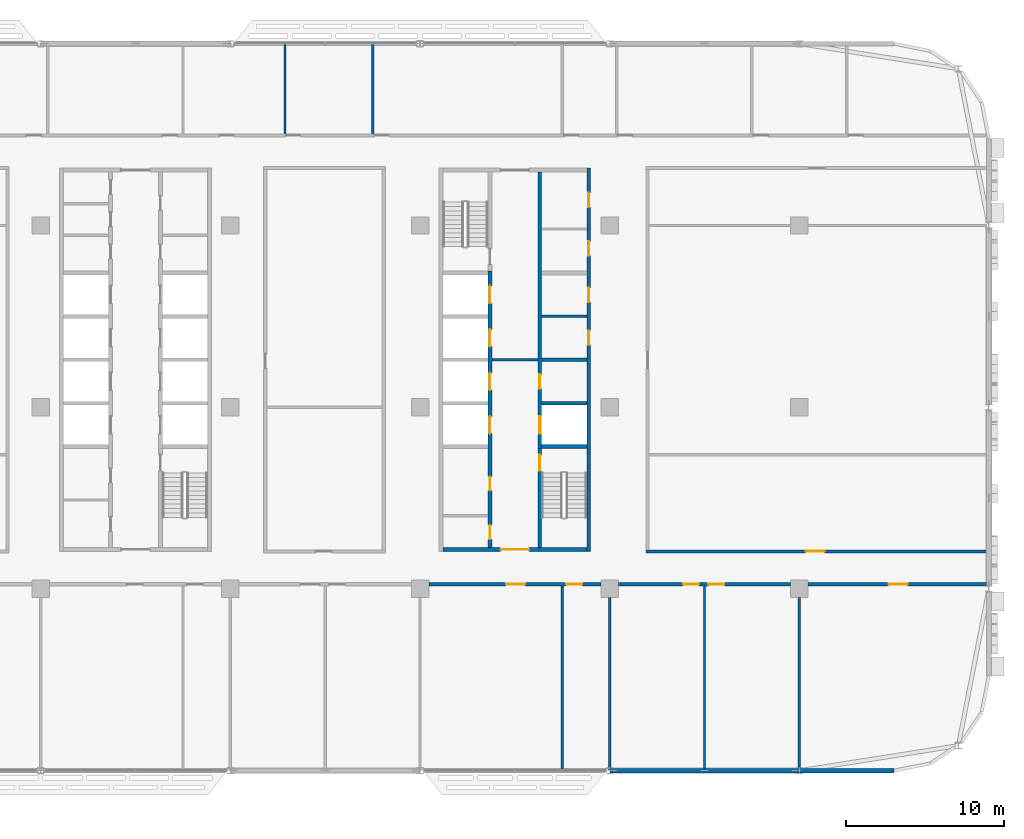
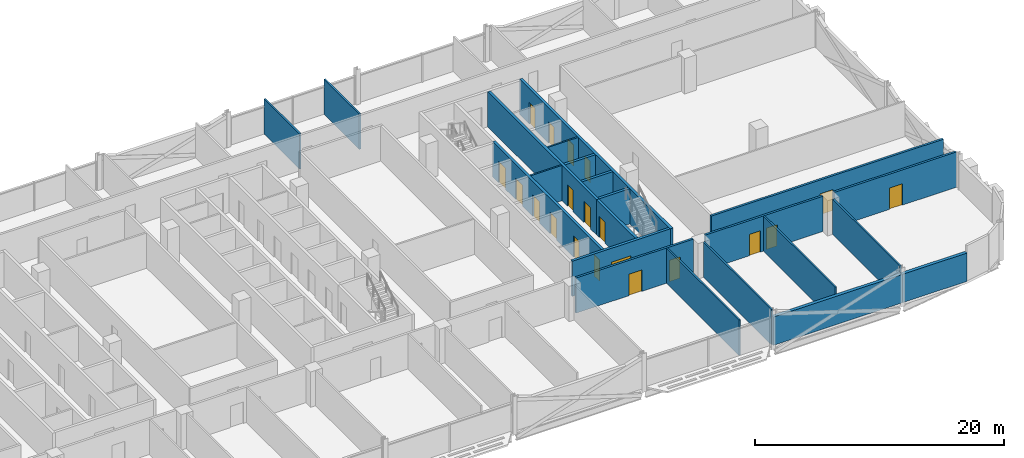
# One storey, part 17 of 30: 22 walls, 20 doors, 20 openings.
"""IFC4 building model written with IfcOpenShell, lengths in metres."""

from ifc_helpers import new_model, si_unit, direction, frame, frame_2d, origin, place, context, subcontext, project, spatial, rectangle, extrude, material, layer, layer_set, type_object, element, fill, save


model = new_model("IFC4")

# Units and contexts
model_context = context("Model", 3, precision=1e-05, world=origin(), true_north=direction((0.0, 1.0)))
body_context = subcontext(model_context, "Body", "Model", "MODEL_VIEW")
ifc_project = project(units=[si_unit("LENGTHUNIT", "METRE"), si_unit("AREAUNIT", "SQUARE_METRE"), si_unit("VOLUMEUNIT", "CUBIC_METRE"), si_unit("PLANEANGLEUNIT", "RADIAN"), si_unit("MASSUNIT", "GRAM", prefix="KILO")], contexts=[model_context])

# Site, building, storey
site_placement = place(None, origin())
site = spatial("IfcSite", under=ifc_project, at=site_placement, CompositionType="ELEMENT")
building_placement = place(site_placement, origin())
building = spatial("IfcBuilding", under=site, at=building_placement, Name="Mahtab Terrace Research Tower", CompositionType="ELEMENT")
storey_placement = place(building_placement, frame((0.0, 0.0, 205.300048828125)))
storey = spatial("IfcBuildingStorey", under=building, at=storey_placement, Name="L49", CompositionType="ELEMENT", Elevation=205.300048828125)

# Walls
ifc_material_1 = material(Name="Gypsum board partition")
ifc_layer_1 = layer(ifc_material_1, 0.14990234375)
ifc_layer_set_1 = layer_set([ifc_layer_1], Name="Core partition 150")
wall_type_1 = type_object("IfcWallType", Name="Core partition 150", PredefinedType="PARTITIONING", material=ifc_layer_set_1)
wall_1_placement = place(storey_placement, frame((22.550048828125, 3.0, 0.0), z_axis=(0.0, 0.0, 1.0), x_axis=(1.0, 0.0, 0.0)))
element("IfcWall", 1, at=wall_1_placement, inside=storey, type_object=wall_type_1, Name="Core wall C ffl", PredefinedType="PARTITIONING", context=body_context, shape_type="SweptSolid", body=[
    extrude(rectangle(XDim=2.89990234375, YDim=0.14990234375, at=frame_2d((1.449951171875, 0.0))), origin(), (0.0, 0.0, 1.0), 3.4599609375),
])
wall_2_placement = place(storey_placement, frame((25.699951171875, 5.75, 0.0), z_axis=(0.0, 0.0, 1.0), x_axis=(1.0, 0.0, 0.0)))
element("IfcWall", 2, at=wall_2_placement, inside=storey, type_object=wall_type_1, Name="Core wall C pEL275", PredefinedType="PARTITIONING", context=body_context, shape_type="SweptSolid", body=[
    extrude(rectangle(XDim=2.85009765625, YDim=0.14990234375, at=frame_2d((1.425048828125, 0.0))), origin(), (0.0, 0.0, 1.0), 3.4599609375),
])

# Wall, openings, doors
ifc_material_2 = material(Name="Concrete C70/85", Category="concrete")
ifc_layer_2 = layer(ifc_material_2, 0.25)
ifc_layer_set_2 = layer_set([ifc_layer_2], Name="Core wall 250")
wall_type_2 = type_object("IfcWallType", Name="Core wall 250", PredefinedType="SOLIDWALL", material=ifc_layer_set_2)
wall_3_placement = place(storey_placement, frame((28.675048828125, -9.125, 0.0), z_axis=(0.0, 0.0, 1.0), x_axis=(0.0, 1.0, 0.0)))
wall_3 = element("IfcWall", 3, at=wall_3_placement, inside=storey, type_object=wall_type_2, Name="Core wall C outerE", PredefinedType="SOLIDWALL", context=body_context, shape_type="SweptSolid", body=[
    extrude(rectangle(XDim=24.25, YDim=0.25, at=frame_2d((12.125, 0.0))), origin(), (0.0, 0.0, 1.0), 3.4599609375),
])
opening_1_placement = place(wall_3_placement, frame((13.074951171875, 0.0, 0.0)))
opening_1 = element("IfcOpeningElement", 4, at=opening_1_placement, cuts=wall_3, Name="Opening C-R2", PredefinedType="OPENING", context=body_context, shape_type="SweptSolid", body=[
    extrude(rectangle(XDim=0.89990234375, YDim=2.10009765625, at=frame_2d((0.449951171875, 1.050048828125))), frame((0.0, 0.135009765625, 0.0), z_axis=(0.0, -1.0, 0.0), x_axis=(1.0, 0.0, 0.0)), (0.0, 0.0, 1.0), 0.27001953125),
])
opening_2_placement = place(wall_3_placement, frame((15.77490234375, 0.0, 0.0)))
opening_2 = element("IfcOpeningElement", 5, at=opening_2_placement, cuts=wall_3, Name="Opening C-R3", PredefinedType="OPENING", context=body_context, shape_type="SweptSolid", body=[
    extrude(rectangle(XDim=0.89990234375, YDim=2.10009765625, at=frame_2d((0.449951171875, 1.050048828125))), frame((0.0, 0.135009765625, 0.0), z_axis=(0.0, -1.0, 0.0), x_axis=(1.0, 0.0, 0.0)), (0.0, 0.0, 1.0), 0.27001953125),
])
opening_3_placement = place(wall_3_placement, frame((18.71240234375, 0.0, 0.0)))
opening_3 = element("IfcOpeningElement", 6, at=opening_3_placement, cuts=wall_3, Name="Opening C-R6", PredefinedType="OPENING", context=body_context, shape_type="SweptSolid", body=[
    extrude(rectangle(XDim=0.89990234375, YDim=2.10009765625, at=frame_2d((0.449951171875, 1.050048828125))), frame((0.0, 0.135009765625, 0.0), z_axis=(0.0, -1.0, 0.0), x_axis=(1.0, 0.0, 0.0)), (0.0, 0.0, 1.0), 0.27001953125),
])
opening_4_placement = place(wall_3_placement, frame((21.78759765625, 0.0, 0.0)))
opening_4 = element("IfcOpeningElement", 7, at=opening_4_placement, cuts=wall_3, Name="Opening C-R7", PredefinedType="OPENING", context=body_context, shape_type="SweptSolid", body=[
    extrude(rectangle(XDim=0.89990234375, YDim=2.10009765625, at=frame_2d((0.449951171875, 1.050048828125))), frame((0.0, 0.135009765625, 0.0), z_axis=(0.0, -1.0, 0.0), x_axis=(1.0, 0.0, 0.0)), (0.0, 0.0, 1.0), 0.27001953125),
])
ifc_material_3 = material(Name="Steel fire door", Category="steel")
door_type_1 = type_object("IfcDoorType", Name="Room door 900x2100 1 HR", OperationType="NOTDEFINED", PredefinedType="DOOR", material=ifc_material_3)
door_1_placement = place(opening_1_placement, origin())
door_1 = element("IfcDoor", 8, at=door_1_placement, inside=storey, type_object=door_type_1, Name="Document store door", OperationType="SINGLE_SWING_RIGHT", OverallHeight=2.10009765625, OverallWidth=0.89990234375, PredefinedType="DOOR", context=body_context, shape_type="SweptSolid", body=[
    extrude(rectangle(XDim=0.89990234375, YDim=2.10009765625, at=frame_2d((0.449951171875, 1.050048828125))), frame((0.0, 0.02490234375, 0.0), z_axis=(0.0, -1.0, 0.0), x_axis=(1.0, 0.0, 0.0)), (0.0, 0.0, 1.0), 0.050048828125),
])
fill(opening_1, door_1)
door_2_placement = place(opening_2_placement, origin())
door_2 = element("IfcDoor", 9, at=door_2_placement, inside=storey, type_object=door_type_1, Name="IT equipment room door", OperationType="SINGLE_SWING_LEFT", OverallHeight=2.10009765625, OverallWidth=0.89990234375, PredefinedType="DOOR", context=body_context, shape_type="SweptSolid", body=[
    extrude(rectangle(XDim=0.89990234375, YDim=2.10009765625, at=frame_2d((0.449951171875, 1.050048828125))), frame((0.0, 0.02490234375, 0.0), z_axis=(0.0, -1.0, 0.0), x_axis=(1.0, 0.0, 0.0)), (0.0, 0.0, 1.0), 0.050048828125),
])
fill(opening_2, door_2)
door_3_placement = place(opening_3_placement, origin())
door_3 = element("IfcDoor", 10, at=door_3_placement, inside=storey, type_object=door_type_1, Name="Mechanical riser room door", OperationType="SINGLE_SWING_RIGHT", OverallHeight=2.10009765625, OverallWidth=0.89990234375, PredefinedType="DOOR", context=body_context, shape_type="SweptSolid", body=[
    extrude(rectangle(XDim=0.89990234375, YDim=2.10009765625, at=frame_2d((0.449951171875, 1.050048828125))), frame((0.0, 0.02490234375, 0.0), z_axis=(0.0, -1.0, 0.0), x_axis=(1.0, 0.0, 0.0)), (0.0, 0.0, 1.0), 0.050048828125),
])
fill(opening_3, door_3)
door_4_placement = place(opening_4_placement, origin())
door_4 = element("IfcDoor", 11, at=door_4_placement, inside=storey, type_object=door_type_1, Name="Chemical store door", OperationType="SINGLE_SWING_LEFT", OverallHeight=2.10009765625, OverallWidth=0.89990234375, PredefinedType="DOOR", context=body_context, shape_type="SweptSolid", body=[
    extrude(rectangle(XDim=0.89990234375, YDim=2.10009765625, at=frame_2d((0.449951171875, 1.050048828125))), frame((0.0, 0.02490234375, 0.0), z_axis=(0.0, -1.0, 0.0), x_axis=(1.0, 0.0, 0.0)), (0.0, 0.0, 1.0), 0.050048828125),
])
fill(opening_4, door_4)

# Wall, opening, door
wall_4_placement = place(storey_placement, frame((28.550048828125, -9.0, 0.0), z_axis=(0.0, 0.0, 1.0), x_axis=(-1.0, 0.0, 0.0)))
wall_4 = element("IfcWall", 12, at=wall_4_placement, inside=storey, type_object=wall_type_2, Name="Core wall C endS", PredefinedType="SOLIDWALL", context=body_context, shape_type="SweptSolid", body=[
    extrude(rectangle(XDim=9.10009765625, YDim=0.25, at=frame_2d((4.550048828125, 0.0))), origin(), (0.0, 0.0, 1.0), 3.4599609375),
])
opening_5_placement = place(wall_4_placement, frame((3.64990234375, 0.0, 0.0)))
opening_5 = element("IfcOpeningElement", 13, at=opening_5_placement, cuts=wall_4, Name="Opening C-S1", PredefinedType="OPENING", context=body_context, shape_type="SweptSolid", body=[
    extrude(rectangle(XDim=1.800048828125, YDim=2.10009765625, at=frame_2d((0.89990234375, 1.050048828125))), frame((0.0, 0.135009765625, 0.0), z_axis=(0.0, -1.0, 0.0), x_axis=(1.0, 0.0, 0.0)), (0.0, 0.0, 1.0), 0.27001953125),
])
door_type_2 = type_object("IfcDoorType", Name="Lobby double door 1800x2100 1 HR", OperationType="DOUBLE_DOOR_SINGLE_SWING", PredefinedType="DOOR", material=ifc_material_3)
door_5_placement = place(opening_5_placement, origin())
door_5 = element("IfcDoor", 14, at=door_5_placement, inside=storey, type_object=door_type_2, Name="Core entrance door C S", OperationType="DOUBLE_DOOR_SINGLE_SWING", OverallHeight=2.10009765625, OverallWidth=1.800048828125, PredefinedType="DOOR", context=body_context, shape_type="SweptSolid", body=[
    extrude(rectangle(XDim=1.800048828125, YDim=2.10009765625, at=frame_2d((0.89990234375, 1.050048828125))), frame((0.0, 0.02490234375, 0.0), z_axis=(0.0, -1.0, 0.0), x_axis=(1.0, 0.0, 0.0)), (0.0, 0.0, 1.0), 0.050048828125),
])
fill(opening_5, door_5)

# Wall, openings, doors
wall_5_placement = place(storey_placement, frame((22.425048828125, -8.875, 0.0), z_axis=(0.0, 0.0, 1.0), x_axis=(0.0, 1.0, 0.0)))
wall_5 = element("IfcWall", 15, at=wall_5_placement, inside=storey, type_object=wall_type_2, Name="Core wall C innerWSL", PredefinedType="SOLIDWALL", context=body_context, shape_type="SweptSolid", body=[
    extrude(rectangle(XDim=17.5, YDim=0.25, at=frame_2d((8.75, 0.0))), origin(), (0.0, 0.0, 1.0), 3.4599609375),
])
opening_6_placement = place(wall_5_placement, frame((7.199951171875, 0.0, 0.0)))
opening_6 = element("IfcOpeningElement", 16, at=opening_6_placement, cuts=wall_5, Name="Opening LD17-L49", PredefinedType="OPENING", context=body_context, shape_type="SweptSolid", body=[
    extrude(rectangle(XDim=1.10009765625, YDim=2.10009765625, at=frame_2d((0.550048828125, 1.050048828125))), frame((0.0, 0.135009765625, 0.0), z_axis=(0.0, -1.0, 0.0), x_axis=(1.0, 0.0, 0.0)), (0.0, 0.0, 1.0), 0.27001953125),
])
opening_7_placement = place(wall_5_placement, frame((9.949951171875, 0.0, 0.0)))
opening_7 = element("IfcOpeningElement", 17, at=opening_7_placement, cuts=wall_5, Name="Opening LD18-L49", PredefinedType="OPENING", context=body_context, shape_type="SweptSolid", body=[
    extrude(rectangle(XDim=1.10009765625, YDim=2.10009765625, at=frame_2d((0.550048828125, 1.050048828125))), frame((0.0, 0.135009765625, 0.0), z_axis=(0.0, -1.0, 0.0), x_axis=(1.0, 0.0, 0.0)), (0.0, 0.0, 1.0), 0.27001953125),
])
opening_8_placement = place(wall_5_placement, frame((12.699951171875, 0.0, 0.0)))
opening_8 = element("IfcOpeningElement", 18, at=opening_8_placement, cuts=wall_5, Name="Opening LD19-L49", PredefinedType="OPENING", context=body_context, shape_type="SweptSolid", body=[
    extrude(rectangle(XDim=1.10009765625, YDim=2.10009765625, at=frame_2d((0.550048828125, 1.050048828125))), frame((0.0, 0.135009765625, 0.0), z_axis=(0.0, -1.0, 0.0), x_axis=(1.0, 0.0, 0.0)), (0.0, 0.0, 1.0), 0.27001953125),
])
opening_9_placement = place(wall_5_placement, frame((15.449951171875, 0.0, 0.0)))
opening_9 = element("IfcOpeningElement", 19, at=opening_9_placement, cuts=wall_5, Name="Opening LD20-L49", PredefinedType="OPENING", context=body_context, shape_type="SweptSolid", body=[
    extrude(rectangle(XDim=1.10009765625, YDim=2.10009765625, at=frame_2d((0.550048828125, 1.050048828125))), frame((0.0, 0.135009765625, 0.0), z_axis=(0.0, -1.0, 0.0), x_axis=(1.0, 0.0, 0.0)), (0.0, 0.0, 1.0), 0.27001953125),
])
opening_10_placement = place(wall_5_placement, frame((0.512451171875, 0.0, 0.0)))
opening_10 = element("IfcOpeningElement", 20, at=opening_10_placement, cuts=wall_5, Name="Opening C-R4", PredefinedType="OPENING", context=body_context, shape_type="SweptSolid", body=[
    extrude(rectangle(XDim=0.89990234375, YDim=2.10009765625, at=frame_2d((0.449951171875, 1.050048828125))), frame((0.0, 0.135009765625, 0.0), z_axis=(0.0, -1.0, 0.0), x_axis=(1.0, 0.0, 0.0)), (0.0, 0.0, 1.0), 0.27001953125),
])
opening_11_placement = place(wall_5_placement, frame((3.58740234375, 0.0, 0.0)))
opening_11 = element("IfcOpeningElement", 21, at=opening_11_placement, cuts=wall_5, Name="Opening C-R5", PredefinedType="OPENING", context=body_context, shape_type="SweptSolid", body=[
    extrude(rectangle(XDim=0.89990234375, YDim=2.10009765625, at=frame_2d((0.449951171875, 1.050048828125))), frame((0.0, 0.135009765625, 0.0), z_axis=(0.0, -1.0, 0.0), x_axis=(1.0, 0.0, 0.0)), (0.0, 0.0, 1.0), 0.27001953125),
])
ifc_material_4 = material(Name="Stainless steel AISI 304", Category="steel")
door_type_3 = type_object("IfcDoorType", Name="Landing door 1100x2100", OperationType="DOUBLE_DOOR_SLIDING", PredefinedType="DOOR", material=ifc_material_4)
door_6_placement = place(opening_6_placement, origin())
door_6 = element("IfcDoor", 22, at=door_6_placement, inside=storey, type_object=door_type_3, Name="Landing door SV1 L49", OperationType="DOUBLE_DOOR_SLIDING", OverallHeight=2.10009765625, OverallWidth=1.10009765625, PredefinedType="DOOR", context=body_context, shape_type="SweptSolid", body=[
    extrude(rectangle(XDim=1.10009765625, YDim=2.10009765625, at=frame_2d((0.550048828125, 1.050048828125))), frame((0.0, 0.02490234375, 0.0), z_axis=(0.0, -1.0, 0.0), x_axis=(1.0, 0.0, 0.0)), (0.0, 0.0, 1.0), 0.050048828125),
])
fill(opening_6, door_6)
door_7_placement = place(opening_7_placement, origin())
door_7 = element("IfcDoor", 23, at=door_7_placement, inside=storey, type_object=door_type_3, Name="Landing door SV2 L49", OperationType="DOUBLE_DOOR_SLIDING", OverallHeight=2.10009765625, OverallWidth=1.10009765625, PredefinedType="DOOR", context=body_context, shape_type="SweptSolid", body=[
    extrude(rectangle(XDim=1.10009765625, YDim=2.10009765625, at=frame_2d((0.550048828125, 1.050048828125))), frame((0.0, 0.02490234375, 0.0), z_axis=(0.0, -1.0, 0.0), x_axis=(1.0, 0.0, 0.0)), (0.0, 0.0, 1.0), 0.050048828125),
])
fill(opening_7, door_7)
door_8_placement = place(opening_8_placement, origin())
door_8 = element("IfcDoor", 24, at=door_8_placement, inside=storey, type_object=door_type_3, Name="Landing door FF1 L49", OperationType="DOUBLE_DOOR_SLIDING", OverallHeight=2.10009765625, OverallWidth=1.10009765625, PredefinedType="DOOR", context=body_context, shape_type="SweptSolid", body=[
    extrude(rectangle(XDim=1.10009765625, YDim=2.10009765625, at=frame_2d((0.550048828125, 1.050048828125))), frame((0.0, 0.02490234375, 0.0), z_axis=(0.0, -1.0, 0.0), x_axis=(1.0, 0.0, 0.0)), (0.0, 0.0, 1.0), 0.050048828125),
])
fill(opening_8, door_8)
door_9_placement = place(opening_9_placement, origin())
door_9 = element("IfcDoor", 25, at=door_9_placement, inside=storey, type_object=door_type_3, Name="Landing door FF2 L49", OperationType="DOUBLE_DOOR_SLIDING", OverallHeight=2.10009765625, OverallWidth=1.10009765625, PredefinedType="DOOR", context=body_context, shape_type="SweptSolid", body=[
    extrude(rectangle(XDim=1.10009765625, YDim=2.10009765625, at=frame_2d((0.550048828125, 1.050048828125))), frame((0.0, 0.02490234375, 0.0), z_axis=(0.0, -1.0, 0.0), x_axis=(1.0, 0.0, 0.0)), (0.0, 0.0, 1.0), 0.050048828125),
])
fill(opening_9, door_9)
door_10_placement = place(opening_10_placement, origin())
door_10 = element("IfcDoor", 26, at=door_10_placement, inside=storey, type_object=door_type_1, Name="Accessible WC door", OperationType="SINGLE_SWING_RIGHT", OverallHeight=2.10009765625, OverallWidth=0.89990234375, PredefinedType="DOOR", context=body_context, shape_type="SweptSolid", body=[
    extrude(rectangle(XDim=0.89990234375, YDim=2.10009765625, at=frame_2d((0.449951171875, 1.050048828125))), frame((0.0, 0.02490234375, 0.0), z_axis=(0.0, -1.0, 0.0), x_axis=(1.0, 0.0, 0.0)), (0.0, 0.0, 1.0), 0.050048828125),
])
fill(opening_10, door_10)
door_11_placement = place(opening_11_placement, origin())
door_11 = element("IfcDoor", 27, at=door_11_placement, inside=storey, type_object=door_type_1, Name="WC block door", OperationType="SINGLE_SWING_LEFT", OverallHeight=2.10009765625, OverallWidth=0.89990234375, PredefinedType="DOOR", context=body_context, shape_type="SweptSolid", body=[
    extrude(rectangle(XDim=0.89990234375, YDim=2.10009765625, at=frame_2d((0.449951171875, 1.050048828125))), frame((0.0, 0.02490234375, 0.0), z_axis=(0.0, -1.0, 0.0), x_axis=(1.0, 0.0, 0.0)), (0.0, 0.0, 1.0), 0.050048828125),
])
fill(opening_11, door_11)

# Wall, opening, door
wall_6_placement = place(storey_placement, frame((25.574951171875, -8.875, 0.0), z_axis=(0.0, 0.0, 1.0), x_axis=(0.0, 1.0, 0.0)))
wall_6 = element("IfcWall", 28, at=wall_6_placement, inside=storey, type_object=wall_type_2, Name="Core wall C innerES", PredefinedType="SOLIDWALL", context=body_context, shape_type="SweptSolid", body=[
    extrude(rectangle(XDim=6.25, YDim=0.25, at=frame_2d((3.125, 0.0))), origin(), (0.0, 0.0, 1.0), 3.4599609375),
])
opening_12_placement = place(wall_6_placement, frame((4.85009765625, 0.0, 0.0)))
opening_12 = element("IfcOpeningElement", 29, at=opening_12_placement, cuts=wall_6, Name="Opening C-ST4", PredefinedType="OPENING", context=body_context, shape_type="SweptSolid", body=[
    extrude(rectangle(XDim=1.0, YDim=2.10009765625, at=frame_2d((0.5, 1.050048828125))), frame((0.0, 0.135009765625, 0.0), z_axis=(0.0, -1.0, 0.0), x_axis=(1.0, 0.0, 0.0)), (0.0, 0.0, 1.0), 0.27001953125),
])
door_type_4 = type_object("IfcDoorType", Name="Stair door 1000x2100 1.5 HR", OperationType="NOTDEFINED", PredefinedType="DOOR", material=ifc_material_3)
door_12_placement = place(opening_12_placement, origin())
door_12 = element("IfcDoor", 30, at=door_12_placement, inside=storey, type_object=door_type_4, Name="Stair door ST4 L49", OperationType="SINGLE_SWING_LEFT", OverallHeight=2.10009765625, OverallWidth=1.0, PredefinedType="DOOR", context=body_context, shape_type="SweptSolid", body=[
    extrude(rectangle(XDim=1.0, YDim=2.10009765625, at=frame_2d((0.5, 1.050048828125))), frame((0.0, 0.02490234375, 0.0), z_axis=(0.0, -1.0, 0.0), x_axis=(1.0, 0.0, 0.0)), (0.0, 0.0, 1.0), 0.050048828125),
])
fill(opening_12, door_12)

# Wall, openings, doors
wall_7_placement = place(storey_placement, frame((25.574951171875, 14.875, 0.0), z_axis=(0.0, 0.0, 1.0), x_axis=(0.0, -1.0, 0.0)))
wall_7 = element("IfcWall", 31, at=wall_7_placement, inside=storey, type_object=wall_type_2, Name="Core wall C innerELN", PredefinedType="SOLIDWALL", context=body_context, shape_type="SweptSolid", body=[
    extrude(rectangle(XDim=17.5, YDim=0.25, at=frame_2d((8.75, 0.0))), origin(), (0.0, 0.0, 1.0), 3.4599609375),
])
opening_13_placement = place(wall_7_placement, frame((15.449951171875, 0.0, 0.0)))
opening_13 = element("IfcOpeningElement", 32, at=opening_13_placement, cuts=wall_7, Name="Opening LD21-L49", PredefinedType="OPENING", context=body_context, shape_type="SweptSolid", body=[
    extrude(rectangle(XDim=1.10009765625, YDim=2.10009765625, at=frame_2d((0.550048828125, 1.050048828125))), frame((0.0, 0.135009765625, 0.0), z_axis=(0.0, -1.0, 0.0), x_axis=(1.0, 0.0, 0.0)), (0.0, 0.0, 1.0), 0.27001953125),
])
opening_14_placement = place(wall_7_placement, frame((12.800048828125, 0.0, 0.0)))
opening_14 = element("IfcOpeningElement", 33, at=opening_14_placement, cuts=wall_7, Name="Opening C-R1", PredefinedType="OPENING", context=body_context, shape_type="SweptSolid", body=[
    extrude(rectangle(XDim=0.89990234375, YDim=2.10009765625, at=frame_2d((0.449951171875, 1.050048828125))), frame((0.0, 0.135009765625, 0.0), z_axis=(0.0, -1.0, 0.0), x_axis=(1.0, 0.0, 0.0)), (0.0, 0.0, 1.0), 0.27001953125),
])
door_13_placement = place(opening_13_placement, origin())
door_13 = element("IfcDoor", 34, at=door_13_placement, inside=storey, type_object=door_type_3, Name="Landing door SV3 L49", OperationType="DOUBLE_DOOR_SLIDING", OverallHeight=2.10009765625, OverallWidth=1.10009765625, PredefinedType="DOOR", context=body_context, shape_type="SweptSolid", body=[
    extrude(rectangle(XDim=1.10009765625, YDim=2.10009765625, at=frame_2d((0.550048828125, 1.050048828125))), frame((0.0, 0.02490234375, 0.0), z_axis=(0.0, -1.0, 0.0), x_axis=(1.0, 0.0, 0.0)), (0.0, 0.0, 1.0), 0.050048828125),
])
fill(opening_13, door_13)
door_14_placement = place(opening_14_placement, origin())
door_14 = element("IfcDoor", 35, at=door_14_placement, inside=storey, type_object=door_type_1, Name="Plant room door", OperationType="SINGLE_SWING_LEFT", OverallHeight=2.10009765625, OverallWidth=0.89990234375, PredefinedType="DOOR", context=body_context, shape_type="SweptSolid", body=[
    extrude(rectangle(XDim=0.89990234375, YDim=2.10009765625, at=frame_2d((0.449951171875, 1.050048828125))), frame((0.0, 0.02490234375, 0.0), z_axis=(0.0, -1.0, 0.0), x_axis=(1.0, 0.0, 0.0)), (0.0, 0.0, 1.0), 0.050048828125),
])
fill(opening_14, door_14)

# Walls
for number, where, z_axis, x_axis, name in (
    (36, (25.699951171875, -2.5, 0.0), (0.0, 0.0, 1.0), (1.0, 0.0, 0.0), "Core wall C divE0"),
    (37, (25.699951171875, 0.25, 0.0), (0.0, 0.0, 1.0), (1.0, 0.0, 0.0), "Core wall C divE1"),
    (38, (25.699951171875, 3.0, 0.0), (0.0, 0.0, 1.0), (1.0, 0.0, 0.0), "Core wall C divE2"),
):
    element("IfcWall", number, at=place(storey_placement, frame(where, z_axis=z_axis, x_axis=x_axis)), inside=storey, type_object=wall_type_2, Name=name, PredefinedType="SOLIDWALL", context=body_context, shape_type="SweptSolid", body=[
        extrude(rectangle(XDim=2.85009765625, YDim=0.25, at=frame_2d((1.425048828125, 0.0))), origin(), (0.0, 0.0, 1.0), 3.4599609375),
    ])
ifc_material_5 = material(Name="Black aluminium cladding panel", Category="aluminium")
ifc_layer_3 = layer(ifc_material_5, 0.300048828125)
ifc_layer_set_3 = layer_set([ifc_layer_3], Name="Opaque facade wall 300")
wall_type_3 = type_object("IfcWallType", Name="Opaque facade wall 300", PredefinedType="NOTDEFINED", material=ifc_layer_set_3)
wall_8_placement = place(storey_placement, frame((30.012451171875, -23.0, 0.0), z_axis=(0.0, 0.0, 1.0), x_axis=(1.0, 0.0, 0.0)))
element("IfcWall", 39, at=wall_8_placement, inside=storey, type_object=wall_type_3, Name="Opaque facade wall L49 S29", PredefinedType="NOTDEFINED", context=body_context, shape_type="SweptSolid", body=[
    extrude(rectangle(XDim=11.97509765625, YDim=0.300048828125, at=frame_2d((5.987548828125, 0.0))), origin(), (0.0, 0.0, 1.0), 2.78173828125),
])
wall_9_placement = place(storey_placement, frame((42.012451171875, -23.0, 0.0), z_axis=(0.0, 0.0, 1.0), x_axis=(1.0, 0.0, 0.0)))
element("IfcWall", 40, at=wall_9_placement, inside=storey, type_object=wall_type_3, Name="Opaque facade wall L49 S30", PredefinedType="NOTDEFINED", context=body_context, shape_type="SweptSolid", body=[
    extrude(rectangle(XDim=5.987548828125, YDim=0.300048828125, at=frame_2d((2.99365234375, 0.0))), origin(), (0.0, 0.0, 1.0), 2.78173828125),
])

# Wall, openings, doors
ifc_material_6 = material(Name="Gypsum board corridor wall on steel studs", Category="steel")
ifc_layer_4 = layer(ifc_material_6, 0.199951171875)
ifc_layer_set_4 = layer_set([ifc_layer_4], Name="WALL CORRIDOR 200")
wall_type_4 = type_object("IfcWallType", Name="WALL CORRIDOR 200", PredefinedType="PARTITIONING", material=ifc_layer_set_4)
wall_10_placement = place(storey_placement, frame((18.550048828125, -11.199951171875, 0.0), z_axis=(0.0, 0.0, 1.0), x_axis=(1.0, 0.0, 0.0)))
wall_10 = element("IfcWall", 41, at=wall_10_placement, inside=storey, type_object=wall_type_4, Name="L49-W006", PredefinedType="PARTITIONING", context=body_context, shape_type="SweptSolid", body=[
    extrude(rectangle(XDim=10.89990234375, YDim=0.199951171875, at=frame_2d((5.449951171875, 0.0))), origin(), (0.0, 0.0, 1.0), 3.4599609375),
])
opening_15_placement = place(wall_10_placement, frame((4.89990234375, 0.0, 0.0)))
opening_15 = element("IfcOpeningElement", 42, at=opening_15_placement, cuts=wall_10, Name="Opening L49-111", PredefinedType="OPENING", context=body_context, shape_type="SweptSolid", body=[
    extrude(rectangle(XDim=1.199951171875, YDim=2.10009765625, at=frame_2d((0.60009765625, 1.050048828125))), frame((0.0, 0.10986328125, 0.0), z_axis=(0.0, -1.0, 0.0), x_axis=(1.0, 0.0, 0.0)), (0.0, 0.0, 1.0), 0.219970703125),
])
opening_16_placement = place(wall_10_placement, frame((8.699951171875, 0.0, 0.0)))
opening_16 = element("IfcOpeningElement", 43, at=opening_16_placement, cuts=wall_10, Name="Opening L49-112", PredefinedType="OPENING", context=body_context, shape_type="SweptSolid", body=[
    extrude(rectangle(XDim=1.0, YDim=2.10009765625, at=frame_2d((0.5, 1.050048828125))), frame((0.0, 0.10986328125, 0.0), z_axis=(0.0, -1.0, 0.0), x_axis=(1.0, 0.0, 0.0)), (0.0, 0.0, 1.0), 0.219970703125),
])
ifc_material_7 = material(Name="Timber door leaf in steel frame", Category="steel")
door_type_5 = type_object("IfcDoorType", Name="DOOR 1000X2100 FD30S", OperationType="SINGLE_SWING_LEFT", PredefinedType="DOOR", material=ifc_material_7)
door_15_placement = place(opening_16_placement, origin())
door_15 = element("IfcDoor", 44, at=door_15_placement, inside=storey, type_object=door_type_5, Name="Door L49-112", OperationType="SINGLE_SWING_LEFT", OverallHeight=2.10009765625, OverallWidth=1.0, PredefinedType="DOOR", context=body_context, shape_type="SweptSolid", body=[
    extrude(rectangle(XDim=1.0, YDim=2.10009765625, at=frame_2d((0.5, 1.050048828125))), frame((0.0, 0.02490234375, 0.0), z_axis=(0.0, -1.0, 0.0), x_axis=(1.0, 0.0, 0.0)), (0.0, 0.0, 1.0), 0.050048828125),
])
fill(opening_16, door_15)
door_type_6 = type_object("IfcDoorType", Name="DOOR 1200X2100 FD30S", OperationType="SINGLE_SWING_LEFT", PredefinedType="DOOR", material=ifc_material_7)
door_16_placement = place(opening_15_placement, origin())
door_16 = element("IfcDoor", 45, at=door_16_placement, inside=storey, type_object=door_type_6, Name="Door L49-111", OperationType="SINGLE_SWING_LEFT", OverallHeight=2.10009765625, OverallWidth=1.199951171875, PredefinedType="DOOR", context=body_context, shape_type="SweptSolid", body=[
    extrude(rectangle(XDim=1.199951171875, YDim=2.10009765625, at=frame_2d((0.60009765625, 1.050048828125))), frame((0.0, 0.02490234375, 0.0), z_axis=(0.0, -1.0, 0.0), x_axis=(1.0, 0.0, 0.0)), (0.0, 0.0, 1.0), 0.050048828125),
])
fill(opening_15, door_16)

wall_11_placement = place(storey_placement, frame((30.550048828125, -11.199951171875, 0.0), z_axis=(0.0, 0.0, 1.0), x_axis=(1.0, 0.0, 0.0)))
wall_11 = element("IfcWall", 46, at=wall_11_placement, inside=storey, type_object=wall_type_4, Name="L49-W007", PredefinedType="PARTITIONING", context=body_context, shape_type="SweptSolid", body=[
    extrude(rectangle(XDim=10.89990234375, YDim=0.199951171875, at=frame_2d((5.449951171875, 0.0))), origin(), (0.0, 0.0, 1.0), 3.4599609375),
])
opening_17_placement = place(wall_11_placement, frame((4.10009765625, 0.0, 0.0)))
opening_17 = element("IfcOpeningElement", 47, at=opening_17_placement, cuts=wall_11, Name="Opening L49-113", PredefinedType="OPENING", context=body_context, shape_type="SweptSolid", body=[
    extrude(rectangle(XDim=1.0, YDim=2.10009765625, at=frame_2d((0.5, 1.050048828125))), frame((0.0, 0.10986328125, 0.0), z_axis=(0.0, -1.0, 0.0), x_axis=(1.0, 0.0, 0.0)), (0.0, 0.0, 1.0), 0.219970703125),
])
opening_18_placement = place(wall_11_placement, frame((5.699951171875, 0.0, 0.0)))
opening_18 = element("IfcOpeningElement", 48, at=opening_18_placement, cuts=wall_11, Name="Opening L49-114", PredefinedType="OPENING", context=body_context, shape_type="SweptSolid", body=[
    extrude(rectangle(XDim=1.0, YDim=2.10009765625, at=frame_2d((0.5, 1.050048828125))), frame((0.0, 0.10986328125, 0.0), z_axis=(0.0, -1.0, 0.0), x_axis=(1.0, 0.0, 0.0)), (0.0, 0.0, 1.0), 0.219970703125),
])
door_17_placement = place(opening_17_placement, origin())
door_17 = element("IfcDoor", 49, at=door_17_placement, inside=storey, type_object=door_type_5, Name="Door L49-113", OperationType="SINGLE_SWING_RIGHT", OverallHeight=2.10009765625, OverallWidth=1.0, PredefinedType="DOOR", context=body_context, shape_type="SweptSolid", body=[
    extrude(rectangle(XDim=1.0, YDim=2.10009765625, at=frame_2d((0.5, 1.050048828125))), frame((0.0, 0.02490234375, 0.0), z_axis=(0.0, -1.0, 0.0), x_axis=(1.0, 0.0, 0.0)), (0.0, 0.0, 1.0), 0.050048828125),
])
fill(opening_17, door_17)
door_18_placement = place(opening_18_placement, origin())
door_18 = element("IfcDoor", 50, at=door_18_placement, inside=storey, type_object=door_type_5, Name="Door L49-114", OperationType="SINGLE_SWING_LEFT", OverallHeight=2.10009765625, OverallWidth=1.0, PredefinedType="DOOR", context=body_context, shape_type="SweptSolid", body=[
    extrude(rectangle(XDim=1.0, YDim=2.10009765625, at=frame_2d((0.5, 1.050048828125))), frame((0.0, 0.02490234375, 0.0), z_axis=(0.0, -1.0, 0.0), x_axis=(1.0, 0.0, 0.0)), (0.0, 0.0, 1.0), 0.050048828125),
])
fill(opening_18, door_18)

# Wall, opening, door
wall_12_placement = place(storey_placement, frame((42.550048828125, -11.199951171875, 0.0), z_axis=(0.0, 0.0, 1.0), x_axis=(1.0, 0.0, 0.0)))
wall_12 = element("IfcWall", 51, at=wall_12_placement, inside=storey, type_object=wall_type_4, Name="L49-W008", PredefinedType="PARTITIONING", context=body_context, shape_type="SweptSolid", body=[
    extrude(rectangle(XDim=11.300048828125, YDim=0.199951171875, at=frame_2d((5.64990234375, 0.0))), origin(), (0.0, 0.0, 1.0), 3.4599609375),
])
opening_19_placement = place(wall_12_placement, frame((5.10009765625, 0.0, 0.0)))
opening_19 = element("IfcOpeningElement", 52, at=opening_19_placement, cuts=wall_12, Name="Opening L49-115", PredefinedType="OPENING", context=body_context, shape_type="SweptSolid", body=[
    extrude(rectangle(XDim=1.199951171875, YDim=2.10009765625, at=frame_2d((0.60009765625, 1.050048828125))), frame((0.0, 0.10986328125, 0.0), z_axis=(0.0, -1.0, 0.0), x_axis=(1.0, 0.0, 0.0)), (0.0, 0.0, 1.0), 0.219970703125),
])
door_19_placement = place(opening_19_placement, origin())
door_19 = element("IfcDoor", 53, at=door_19_placement, inside=storey, type_object=door_type_6, Name="Door L49-115", OperationType="SINGLE_SWING_LEFT", OverallHeight=2.10009765625, OverallWidth=1.199951171875, PredefinedType="DOOR", context=body_context, shape_type="SweptSolid", body=[
    extrude(rectangle(XDim=1.199951171875, YDim=2.10009765625, at=frame_2d((0.60009765625, 1.050048828125))), frame((0.0, 0.02490234375, 0.0), z_axis=(0.0, -1.0, 0.0), x_axis=(1.0, 0.0, 0.0)), (0.0, 0.0, 1.0), 0.050048828125),
])
fill(opening_19, door_19)

wall_13_placement = place(storey_placement, frame((32.300048828125, -9.125, 0.0), z_axis=(0.0, 0.0, 1.0), x_axis=(1.0, 0.0, 0.0)))
wall_13 = element("IfcWall", 54, at=wall_13_placement, inside=storey, type_object=wall_type_4, Name="L49-W012", PredefinedType="PARTITIONING", context=body_context, shape_type="SweptSolid", body=[
    extrude(rectangle(XDim=21.550048828125, YDim=0.199951171875, at=frame_2d((10.77490234375, 0.0))), origin(), (0.0, 0.0, 1.0), 3.4599609375),
])
opening_20_placement = place(wall_13_placement, frame((10.10009765625, 0.0, 0.0)))
opening_20 = element("IfcOpeningElement", 55, at=opening_20_placement, cuts=wall_13, Name="Opening L49-117", PredefinedType="OPENING", context=body_context, shape_type="SweptSolid", body=[
    extrude(rectangle(XDim=1.199951171875, YDim=2.10009765625, at=frame_2d((0.60009765625, 1.050048828125))), frame((0.0, 0.10986328125, 0.0), z_axis=(0.0, -1.0, 0.0), x_axis=(1.0, 0.0, 0.0)), (0.0, 0.0, 1.0), 0.219970703125),
])
door_20_placement = place(opening_20_placement, origin())
door_20 = element("IfcDoor", 56, at=door_20_placement, inside=storey, type_object=door_type_6, Name="Door L49-117", OperationType="SINGLE_SWING_LEFT", OverallHeight=2.10009765625, OverallWidth=1.199951171875, PredefinedType="DOOR", context=body_context, shape_type="SweptSolid", body=[
    extrude(rectangle(XDim=1.199951171875, YDim=2.10009765625, at=frame_2d((0.60009765625, 1.050048828125))), frame((0.0, 0.02490234375, 0.0), z_axis=(0.0, -1.0, 0.0), x_axis=(1.0, 0.0, 0.0)), (0.0, 0.0, 1.0), 0.050048828125),
])
fill(opening_20, door_20)

# Walls
ifc_material_8 = material(Name="Gypsum board partition on steel studs", Category="steel")
ifc_layer_5 = layer(ifc_material_8, 0.14990234375)
ifc_layer_set_5 = layer_set([ifc_layer_5], Name="WALL PARTITION 150")
wall_type_5 = type_object("IfcWallType", Name="WALL PARTITION 150", PredefinedType="PARTITIONING", material=ifc_layer_set_5)
for number, where, z_axis, x_axis, name in (
    (57, (9.449951171875, 17.300048828125, 0.0), (0.0, 0.0, 1.0), (0.0, 1.0, 0.0), "L49-W043"),
    (58, (15.0, 17.300048828125, 0.0), (0.0, 0.0, 1.0), (0.0, 1.0, 0.0), "L49-W045"),
):
    element("IfcWall", number, at=place(storey_placement, frame(where, z_axis=z_axis, x_axis=x_axis)), inside=storey, type_object=wall_type_5, Name=name, PredefinedType="PARTITIONING", context=body_context, shape_type="SweptSolid", body=[
        extrude(rectangle(XDim=5.675048828125, YDim=0.14990234375, at=frame_2d((2.83740234375, 0.0))), origin(), (0.0, 0.0, 1.0), 3.4599609375),
    ])
wall_14_placement = place(storey_placement, frame((27.0, -22.97509765625, 0.0), z_axis=(0.0, 0.0, 1.0), x_axis=(0.0, 1.0, 0.0)))
element("IfcWall", 59, at=wall_14_placement, inside=storey, type_object=wall_type_5, Name="L49-W048", PredefinedType="PARTITIONING", context=body_context, shape_type="SweptSolid", body=[
    extrude(rectangle(XDim=11.675048828125, YDim=0.14990234375, at=frame_2d((5.83740234375, 0.0))), origin(), (0.0, 0.0, 1.0), 3.4599609375),
])
wall_15_placement = place(storey_placement, frame((30.0, -22.97509765625, 0.0), z_axis=(0.0, 0.0, 1.0), x_axis=(0.0, 1.0, 0.0)))
element("IfcWall", 60, at=wall_15_placement, inside=storey, type_object=wall_type_5, Name="L49-W050", PredefinedType="PARTITIONING", context=body_context, shape_type="SweptSolid", body=[
    extrude(rectangle(XDim=10.925048828125, YDim=0.14990234375, at=frame_2d((5.46240234375, 0.0))), origin(), (0.0, 0.0, 1.0), 3.4599609375),
])
wall_16_placement = place(storey_placement, frame((36.0, -22.85009765625, 0.0), z_axis=(0.0, 0.0, 1.0), x_axis=(0.0, 1.0, 0.0)))
element("IfcWall", 61, at=wall_16_placement, inside=storey, type_object=wall_type_5, Name="L49-W053", PredefinedType="PARTITIONING", context=body_context, shape_type="SweptSolid", body=[
    extrude(rectangle(XDim=11.550048828125, YDim=0.14990234375, at=frame_2d((5.77490234375, 0.0))), origin(), (0.0, 0.0, 1.0), 3.4599609375),
])
wall_17_placement = place(storey_placement, frame((42.0, -22.85009765625, 0.0), z_axis=(0.0, 0.0, 1.0), x_axis=(0.0, 1.0, 0.0)))
element("IfcWall", 62, at=wall_17_placement, inside=storey, type_object=wall_type_5, Name="L49-W055", PredefinedType="PARTITIONING", context=body_context, shape_type="SweptSolid", body=[
    extrude(rectangle(XDim=10.800048828125, YDim=0.14990234375, at=frame_2d((5.39990234375, 0.0))), origin(), (0.0, 0.0, 1.0), 3.4599609375),
])

save(model, "model.ifc")
